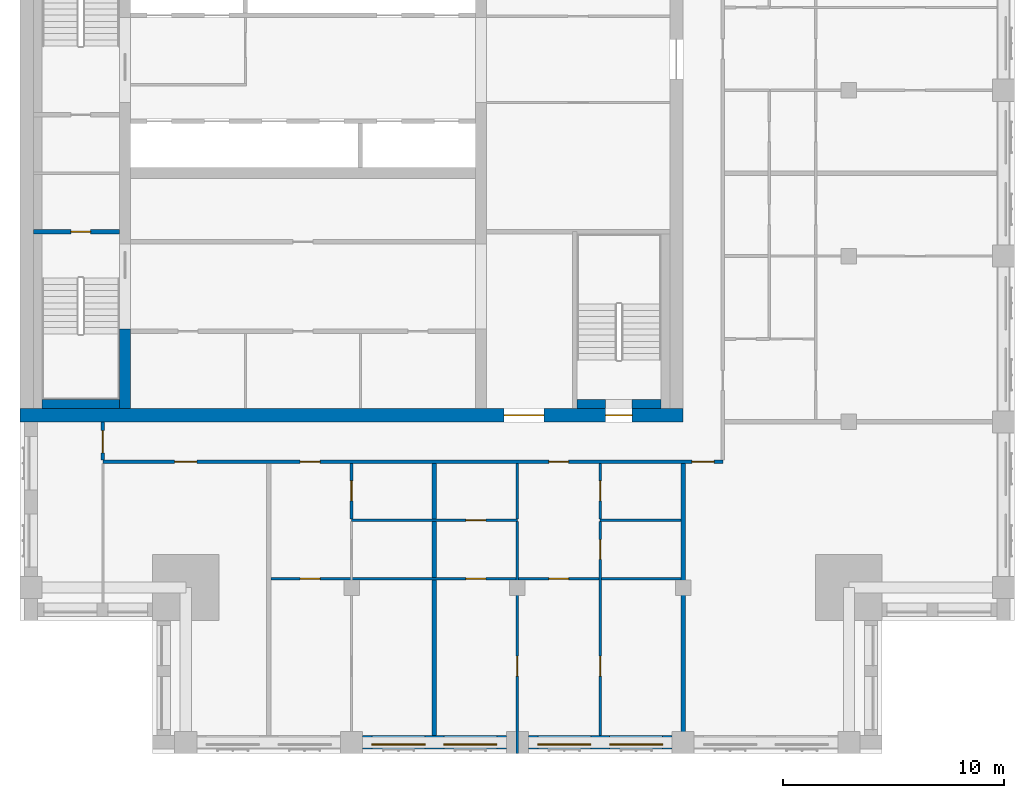
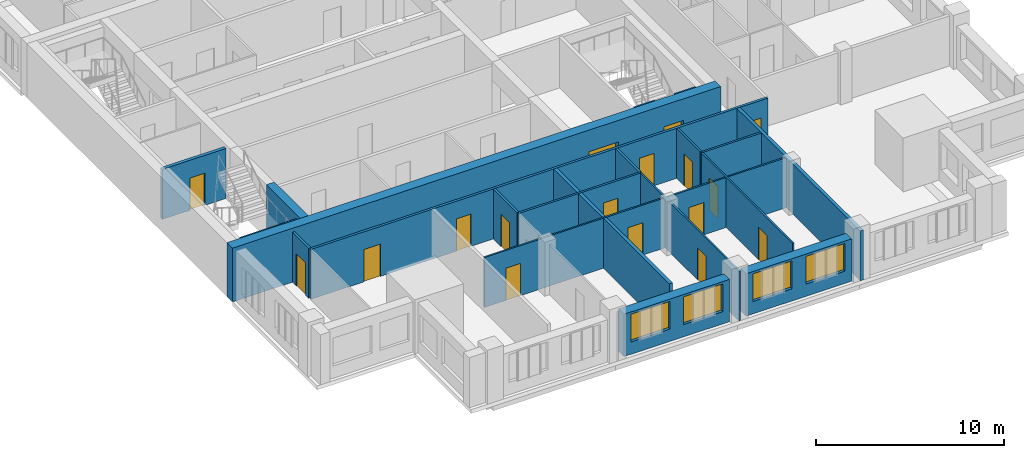
# One storey, part 3 of 10: 20 walls, 17 doors, 4 windows, 21 openings.
"""IFC4 building model written with IfcOpenShell, lengths in metres."""

from ifc_helpers import new_model, si_unit, direction, frame, frame_2d, origin, place, context, subcontext, project, spatial, rectangle, extrude, material, layer, layer_set, type_object, element, fill, save


model = new_model("IFC4")

# Units and contexts
model_context = context("Model", 3, precision=1e-05, world=origin(), true_north=direction((0.0, 1.0)))
body_context = subcontext(model_context, "Body", "Model", "MODEL_VIEW")
ifc_project = project(units=[si_unit("LENGTHUNIT", "METRE"), si_unit("AREAUNIT", "SQUARE_METRE"), si_unit("VOLUMEUNIT", "CUBIC_METRE"), si_unit("PLANEANGLEUNIT", "RADIAN"), si_unit("MASSUNIT", "GRAM", prefix="KILO")], contexts=[model_context])

# Site, building, storey
site_placement = place(None, origin())
site = spatial("IfcSite", under=ifc_project, at=site_placement, CompositionType="ELEMENT")
building_placement = place(site_placement, origin())
building = spatial("IfcBuilding", under=site, at=building_placement, Name="Tamorin Gate", CompositionType="ELEMENT")
storey_placement = place(building_placement, frame((0.0, 0.0, 269.699951171875)))
storey = spatial("IfcBuildingStorey", under=building, at=storey_placement, Name="L67", CompositionType="ELEMENT", Elevation=269.699951171875)

# Wall, openings, windows
ifc_material_1 = material(Name="Precast concrete C40/50", Category="concrete")
ifc_layer_1 = layer(ifc_material_1, 0.60009765625)
ifc_layer_set_1 = layer_set([ifc_layer_1], Name="Precast concrete C40/50")
wall_type_1 = type_object("IfcWallType", Name="Board-marked concrete facade panel 600", PredefinedType="SOLIDWALL", material=ifc_layer_set_1)
wall_1_placement = place(storey_placement, frame((45.5, 45.5, 0.0), z_axis=(0.0, 0.0, 1.0), x_axis=(1.0, 0.0, 0.0)))
wall_1 = element("IfcWall", 1, at=wall_1_placement, inside=storey, type_object=wall_type_1, Name="Facade panel", PredefinedType="SOLIDWALL", context=body_context, shape_type="SweptSolid", body=[
    extrude(rectangle(XDim=6.5, YDim=0.60009765625, at=frame_2d((3.25, 0.0))), origin(), (0.0, 0.0, 1.0), 2.75),
])
opening_1_placement = place(wall_1_placement, frame((0.425048828125, 0.0, 0.800048828125)))
opening_1 = element("IfcOpeningElement", 2, at=opening_1_placement, cuts=wall_1, Name="Opening WN1", PredefinedType="OPENING", context=body_context, shape_type="SweptSolid", body=[
    extrude(rectangle(XDim=2.39990234375, YDim=1.800048828125, at=frame_2d((1.199951171875, 0.89990234375))), frame((0.0, 0.31005859375, 0.0), z_axis=(0.0, -1.0, 0.0), x_axis=(1.0, 0.0, 0.0)), (0.0, 0.0, 1.0), 0.6201171875),
])
opening_2_placement = place(wall_1_placement, frame((3.675048828125, 0.0, 0.800048828125)))
opening_2 = element("IfcOpeningElement", 3, at=opening_2_placement, cuts=wall_1, Name="Opening WN1", PredefinedType="OPENING", context=body_context, shape_type="SweptSolid", body=[
    extrude(rectangle(XDim=2.39990234375, YDim=1.800048828125, at=frame_2d((1.199951171875, 0.89990234375))), frame((0.0, 0.31005859375, 0.0), z_axis=(0.0, -1.0, 0.0), x_axis=(1.0, 0.0, 0.0)), (0.0, 0.0, 1.0), 0.6201171875),
])
ifc_material_2 = material(Name="Clear glass in aluminium frame", Category="aluminium")
window_type = type_object("IfcWindowType", Name="Deep-set window 2400x1800", PartitioningType="SINGLE_PANEL", PredefinedType="WINDOW", material=ifc_material_2)
window_1_placement = place(opening_1_placement, origin())
window_1 = element("IfcWindow", 4, at=window_1_placement, inside=storey, type_object=window_type, Name="Deep-set window", OverallHeight=1.800048828125, OverallWidth=2.39990234375, PartitioningType="SINGLE_PANEL", PredefinedType="WINDOW", context=body_context, shape_type="SweptSolid", body=[
    extrude(rectangle(XDim=2.39990234375, YDim=1.800048828125, at=frame_2d((1.199951171875, 0.89990234375))), frame((0.0, -0.070068359375, 0.0), z_axis=(0.0, -1.0, 0.0), x_axis=(1.0, 0.0, 0.0)), (0.0, 0.0, 1.0), 0.06005859375),
])
fill(opening_1, window_1)
window_2_placement = place(opening_2_placement, origin())
window_2 = element("IfcWindow", 5, at=window_2_placement, inside=storey, type_object=window_type, Name="Deep-set window", OverallHeight=1.800048828125, OverallWidth=2.39990234375, PartitioningType="SINGLE_PANEL", PredefinedType="WINDOW", context=body_context, shape_type="SweptSolid", body=[
    extrude(rectangle(XDim=2.39990234375, YDim=1.800048828125, at=frame_2d((1.199951171875, 0.89990234375))), frame((0.0, -0.070068359375, 0.0), z_axis=(0.0, -1.0, 0.0), x_axis=(1.0, 0.0, 0.0)), (0.0, 0.0, 1.0), 0.06005859375),
])
fill(opening_2, window_2)

wall_2_placement = place(storey_placement, frame((53.0, 45.5, 0.0), z_axis=(0.0, 0.0, 1.0), x_axis=(1.0, 0.0, 0.0)))
wall_2 = element("IfcWall", 6, at=wall_2_placement, inside=storey, type_object=wall_type_1, Name="Facade panel", PredefinedType="SOLIDWALL", context=body_context, shape_type="SweptSolid", body=[
    extrude(rectangle(XDim=6.5, YDim=0.60009765625, at=frame_2d((3.25, 0.0))), origin(), (0.0, 0.0, 1.0), 2.75),
])
opening_3_placement = place(wall_2_placement, frame((0.425048828125, 0.0, 0.800048828125)))
opening_3 = element("IfcOpeningElement", 7, at=opening_3_placement, cuts=wall_2, Name="Opening WN1", PredefinedType="OPENING", context=body_context, shape_type="SweptSolid", body=[
    extrude(rectangle(XDim=2.39990234375, YDim=1.800048828125, at=frame_2d((1.199951171875, 0.89990234375))), frame((0.0, 0.31005859375, 0.0), z_axis=(0.0, -1.0, 0.0), x_axis=(1.0, 0.0, 0.0)), (0.0, 0.0, 1.0), 0.6201171875),
])
opening_4_placement = place(wall_2_placement, frame((3.675048828125, 0.0, 0.800048828125)))
opening_4 = element("IfcOpeningElement", 8, at=opening_4_placement, cuts=wall_2, Name="Opening WN1", PredefinedType="OPENING", context=body_context, shape_type="SweptSolid", body=[
    extrude(rectangle(XDim=2.39990234375, YDim=1.800048828125, at=frame_2d((1.199951171875, 0.89990234375))), frame((0.0, 0.31005859375, 0.0), z_axis=(0.0, -1.0, 0.0), x_axis=(1.0, 0.0, 0.0)), (0.0, 0.0, 1.0), 0.6201171875),
])
window_3_placement = place(opening_3_placement, origin())
window_3 = element("IfcWindow", 9, at=window_3_placement, inside=storey, type_object=window_type, Name="Deep-set window", OverallHeight=1.800048828125, OverallWidth=2.39990234375, PartitioningType="SINGLE_PANEL", PredefinedType="WINDOW", context=body_context, shape_type="SweptSolid", body=[
    extrude(rectangle(XDim=2.39990234375, YDim=1.800048828125, at=frame_2d((1.199951171875, 0.89990234375))), frame((0.0, -0.070068359375, 0.0), z_axis=(0.0, -1.0, 0.0), x_axis=(1.0, 0.0, 0.0)), (0.0, 0.0, 1.0), 0.06005859375),
])
fill(opening_3, window_3)
window_4_placement = place(opening_4_placement, origin())
window_4 = element("IfcWindow", 10, at=window_4_placement, inside=storey, type_object=window_type, Name="Deep-set window", OverallHeight=1.800048828125, OverallWidth=2.39990234375, PartitioningType="SINGLE_PANEL", PredefinedType="WINDOW", context=body_context, shape_type="SweptSolid", body=[
    extrude(rectangle(XDim=2.39990234375, YDim=1.800048828125, at=frame_2d((1.199951171875, 0.89990234375))), frame((0.0, -0.070068359375, 0.0), z_axis=(0.0, -1.0, 0.0), x_axis=(1.0, 0.0, 0.0)), (0.0, 0.0, 1.0), 0.06005859375),
])
fill(opening_4, window_4)

# Wall, openings, doors
ifc_material_3 = material(Name="Gypsum board partition")
ifc_layer_2 = layer(ifc_material_3, 0.14990234375)
ifc_layer_set_2 = layer_set([ifc_layer_2], Name="Corridor wall 150")
wall_type_2 = type_object("IfcWallType", Name="Corridor wall 150", PredefinedType="PARTITIONING", material=ifc_layer_set_2)
wall_3_placement = place(storey_placement, frame((33.75, 58.199951171875, 0.0), z_axis=(0.0, 0.0, 1.0), x_axis=(1.0, 0.0, 0.0)))
wall_3 = element("IfcWall", 11, at=wall_3_placement, inside=storey, type_object=wall_type_2, Name="Corridor wall 150", PredefinedType="PARTITIONING", context=body_context, shape_type="SweptSolid", body=[
    extrude(rectangle(XDim=28.050048828125, YDim=0.14990234375, at=frame_2d((14.02490234375, 0.0))), origin(), (0.0, 0.0, 1.0), 3.25),
])
opening_5_placement = place(wall_3_placement, frame((3.25, 0.0, 0.0)))
opening_5 = element("IfcOpeningElement", 12, at=opening_5_placement, cuts=wall_3, Name="Opening DR9002", PredefinedType="OPENING", context=body_context, shape_type="SweptSolid", body=[
    extrude(rectangle(XDim=1.0, YDim=2.10009765625, at=frame_2d((0.5, 1.050048828125))), frame((0.0, 0.0849609375, 0.0), z_axis=(0.0, -1.0, 0.0), x_axis=(1.0, 0.0, 0.0)), (0.0, 0.0, 1.0), 0.169921875),
])
opening_6_placement = place(wall_3_placement, frame((8.925048828125, 0.0, 0.0)))
opening_6 = element("IfcOpeningElement", 13, at=opening_6_placement, cuts=wall_3, Name="Opening DR9003", PredefinedType="OPENING", context=body_context, shape_type="SweptSolid", body=[
    extrude(rectangle(XDim=0.89990234375, YDim=2.10009765625, at=frame_2d((0.449951171875, 1.050048828125))), frame((0.0, 0.0849609375, 0.0), z_axis=(0.0, -1.0, 0.0), x_axis=(1.0, 0.0, 0.0)), (0.0, 0.0, 1.0), 0.169921875),
])
opening_7_placement = place(wall_3_placement, frame((20.175048828125, 0.0, 0.0)))
opening_7 = element("IfcOpeningElement", 14, at=opening_7_placement, cuts=wall_3, Name="Opening DR9010", PredefinedType="OPENING", context=body_context, shape_type="SweptSolid", body=[
    extrude(rectangle(XDim=0.89990234375, YDim=2.10009765625, at=frame_2d((0.449951171875, 1.050048828125))), frame((0.0, 0.0849609375, 0.0), z_axis=(0.0, -1.0, 0.0), x_axis=(1.0, 0.0, 0.0)), (0.0, 0.0, 1.0), 0.169921875),
])
opening_8_placement = place(wall_3_placement, frame((26.64990234375, 0.0, 0.0)))
opening_8 = element("IfcOpeningElement", 15, at=opening_8_placement, cuts=wall_3, Name="Opening DR9016", PredefinedType="OPENING", context=body_context, shape_type="SweptSolid", body=[
    extrude(rectangle(XDim=1.0, YDim=2.10009765625, at=frame_2d((0.5, 1.050048828125))), frame((0.0, 0.0849609375, 0.0), z_axis=(0.0, -1.0, 0.0), x_axis=(1.0, 0.0, 0.0)), (0.0, 0.0, 1.0), 0.169921875),
])
ifc_material_4 = material(Name="Timber door leaf", Category="wood")
door_type_1 = type_object("IfcDoorType", Name="Door 1000 x 2100 FD30S", OperationType="NOTDEFINED", PredefinedType="DOOR", material=ifc_material_4)
door_1_placement = place(opening_5_placement, origin())
door_1 = element("IfcDoor", 16, at=door_1_placement, inside=storey, type_object=door_type_1, Name="Door DR9002", OperationType="SINGLE_SWING_RIGHT", OverallHeight=2.10009765625, OverallWidth=1.0, PredefinedType="DOOR", context=body_context, shape_type="SweptSolid", body=[
    extrude(rectangle(XDim=1.0, YDim=2.10009765625, at=frame_2d((0.5, 1.050048828125))), frame((0.0, 0.02490234375, 0.0), z_axis=(0.0, -1.0, 0.0), x_axis=(1.0, 0.0, 0.0)), (0.0, 0.0, 1.0), 0.050048828125),
])
fill(opening_5, door_1)
door_2_placement = place(opening_8_placement, origin())
door_2 = element("IfcDoor", 17, at=door_2_placement, inside=storey, type_object=door_type_1, Name="Door DR9016", OperationType="SINGLE_SWING_RIGHT", OverallHeight=2.10009765625, OverallWidth=1.0, PredefinedType="DOOR", context=body_context, shape_type="SweptSolid", body=[
    extrude(rectangle(XDim=1.0, YDim=2.10009765625, at=frame_2d((0.5, 1.050048828125))), frame((0.0, 0.02490234375, 0.0), z_axis=(0.0, -1.0, 0.0), x_axis=(1.0, 0.0, 0.0)), (0.0, 0.0, 1.0), 0.050048828125),
])
fill(opening_8, door_2)
door_type_2 = type_object("IfcDoorType", Name="Door 900 x 2100 FD30S", OperationType="NOTDEFINED", PredefinedType="DOOR", material=ifc_material_4)
door_3_placement = place(opening_6_placement, origin())
door_3 = element("IfcDoor", 18, at=door_3_placement, inside=storey, type_object=door_type_2, Name="Door DR9003", OperationType="SINGLE_SWING_RIGHT", OverallHeight=2.10009765625, OverallWidth=0.89990234375, PredefinedType="DOOR", context=body_context, shape_type="SweptSolid", body=[
    extrude(rectangle(XDim=0.89990234375, YDim=2.10009765625, at=frame_2d((0.449951171875, 1.050048828125))), frame((0.0, 0.02490234375, 0.0), z_axis=(0.0, -1.0, 0.0), x_axis=(1.0, 0.0, 0.0)), (0.0, 0.0, 1.0), 0.050048828125),
])
fill(opening_6, door_3)
door_4_placement = place(opening_7_placement, origin())
door_4 = element("IfcDoor", 19, at=door_4_placement, inside=storey, type_object=door_type_2, Name="Door DR9010", OperationType="SINGLE_SWING_RIGHT", OverallHeight=2.10009765625, OverallWidth=0.89990234375, PredefinedType="DOOR", context=body_context, shape_type="SweptSolid", body=[
    extrude(rectangle(XDim=0.89990234375, YDim=2.10009765625, at=frame_2d((0.449951171875, 1.050048828125))), frame((0.0, 0.02490234375, 0.0), z_axis=(0.0, -1.0, 0.0), x_axis=(1.0, 0.0, 0.0)), (0.0, 0.0, 1.0), 0.050048828125),
])
fill(opening_7, door_4)

# Wall, opening, door
wall_4_placement = place(storey_placement, frame((33.75, 58.27490234375, 0.0), z_axis=(0.0, 0.0, 1.0), x_axis=(0.0, 1.0, 0.0)))
wall_4 = element("IfcWall", 20, at=wall_4_placement, inside=storey, type_object=wall_type_2, Name="Corridor wall 150", PredefinedType="PARTITIONING", context=body_context, shape_type="SweptSolid", body=[
    extrude(rectangle(XDim=1.72509765625, YDim=0.14990234375, at=frame_2d((0.862548828125, 0.0))), origin(), (0.0, 0.0, 1.0), 3.25),
])
opening_9_placement = place(wall_4_placement, frame((0.324951171875, 0.0, 0.0)))
opening_9 = element("IfcOpeningElement", 21, at=opening_9_placement, cuts=wall_4, Name="Opening DR9001", PredefinedType="OPENING", context=body_context, shape_type="SweptSolid", body=[
    extrude(rectangle(XDim=1.0, YDim=2.10009765625, at=frame_2d((0.5, 1.050048828125))), frame((0.0, 0.0849609375, 0.0), z_axis=(0.0, -1.0, 0.0), x_axis=(1.0, 0.0, 0.0)), (0.0, 0.0, 1.0), 0.169921875),
])
door_5_placement = place(opening_9_placement, origin())
door_5 = element("IfcDoor", 22, at=door_5_placement, inside=storey, type_object=door_type_1, Name="Door DR9001", OperationType="SINGLE_SWING_RIGHT", OverallHeight=2.10009765625, OverallWidth=1.0, PredefinedType="DOOR", context=body_context, shape_type="SweptSolid", body=[
    extrude(rectangle(XDim=1.0, YDim=2.10009765625, at=frame_2d((0.5, 1.050048828125))), frame((0.0, 0.02490234375, 0.0), z_axis=(0.0, -1.0, 0.0), x_axis=(1.0, 0.0, 0.0)), (0.0, 0.0, 1.0), 0.050048828125),
])
fill(opening_9, door_5)

# Walls
ifc_layer_3 = layer(ifc_material_3, 0.199951171875)
ifc_layer_set_3 = layer_set([ifc_layer_3], Name="Demising wall 200")
wall_type_3 = type_object("IfcWallType", Name="Demising wall 200", PredefinedType="PARTITIONING", material=ifc_layer_set_3)
wall_5_placement = place(storey_placement, frame((48.75, 45.81005859375, 0.0), z_axis=(0.0, 0.0, 1.0), x_axis=(0.0, 1.0, 0.0)))
element("IfcWall", 23, at=wall_5_placement, inside=storey, type_object=wall_type_3, Name="Demising wall 200", PredefinedType="PARTITIONING", context=body_context, shape_type="SweptSolid", body=[
    extrude(rectangle(XDim=12.31494140625, YDim=0.199951171875, at=frame_2d((6.157470703125, 0.0))), origin(), (0.0, 0.0, 1.0), 3.25),
])
wall_6_placement = place(storey_placement, frame((60.0, 45.0, 0.0), z_axis=(0.0, 0.0, 1.0), x_axis=(0.0, 1.0, 0.0)))
element("IfcWall", 24, at=wall_6_placement, inside=storey, type_object=wall_type_3, Name="Demising wall 200", PredefinedType="PARTITIONING", context=body_context, shape_type="SweptSolid", body=[
    extrude(rectangle(XDim=13.125, YDim=0.199951171875, at=frame_2d((6.5625, 0.0))), origin(), (0.0, 0.0, 1.0), 3.25),
])
ifc_material_5 = material(Name="Concrete C50/60", Category="concrete")
ifc_layer_4 = layer(ifc_material_5, 0.5)
ifc_layer_set_4 = layer_set([ifc_layer_4], Name="RC core internal wall 500 C50/60")
wall_type_4 = type_object("IfcWallType", Name="RC core internal wall 500 C50/60", PredefinedType="SHEAR", material=ifc_layer_set_4)
wall_7_placement = place(storey_placement, frame((34.75, 60.60009765625, 0.0), z_axis=(0.0, 0.0, 1.0), x_axis=(0.0, 1.0, 0.0)))
element("IfcWall", 25, at=wall_7_placement, inside=storey, type_object=wall_type_4, Name="Core cross wall L67", PredefinedType="SHEAR", context=body_context, shape_type="SweptSolid", body=[
    extrude(rectangle(XDim=3.599853515625, YDim=0.5, at=frame_2d((1.7998046875, 0.0))), origin(), (0.0, 0.0, 1.0), 3.5),
])

# Wall, openings, doors
ifc_layer_5 = layer(ifc_material_5, 0.60009765625)
ifc_layer_set_5 = layer_set([ifc_layer_5], Name="RC core wall 600 C50/60")
wall_type_5 = type_object("IfcWallType", Name="RC core wall 600 C50/60", PredefinedType="SHEAR", material=ifc_layer_set_5)
wall_8_placement = place(storey_placement, frame((30.0, 60.300048828125, 0.0), z_axis=(0.0, 0.0, 1.0), x_axis=(1.0, 0.0, 0.0)))
wall_8 = element("IfcWall", 26, at=wall_8_placement, inside=storey, type_object=wall_type_5, Name="Core wall L67", PredefinedType="SHEAR", context=body_context, shape_type="SweptSolid", body=[
    extrude(rectangle(XDim=30.0, YDim=0.60009765625, at=frame_2d((15.0, 0.0))), origin(), (0.0, 0.0, 1.0), 3.5),
])
opening_10_placement = place(wall_8_placement, frame((21.89990234375, 0.0, 0.0)))
opening_10 = element("IfcOpeningElement", 27, at=opening_10_placement, cuts=wall_8, Name="Opening DE1", PredefinedType="OPENING", context=body_context, shape_type="SweptSolid", body=[
    extrude(rectangle(XDim=1.800048828125, YDim=2.10009765625, at=frame_2d((0.89990234375, 1.050048828125))), frame((0.0, 0.31005859375, 0.0), z_axis=(0.0, -1.0, 0.0), x_axis=(1.0, 0.0, 0.0)), (0.0, 0.0, 1.0), 0.6201171875),
])
opening_11_placement = place(wall_8_placement, frame((26.5, 0.0, 0.0)))
opening_11 = element("IfcOpeningElement", 28, at=opening_11_placement, cuts=wall_8, Name="Opening DS1", PredefinedType="OPENING", context=body_context, shape_type="SweptSolid", body=[
    extrude(rectangle(XDim=1.199951171875, YDim=2.10009765625, at=frame_2d((0.60009765625, 1.050048828125))), frame((0.0, 0.31005859375, 0.0), z_axis=(0.0, -1.0, 0.0), x_axis=(1.0, 0.0, 0.0)), (0.0, 0.0, 1.0), 0.6201171875),
])
ifc_material_6 = material(Name="Steel fire door", Category="steel")
door_type_3 = type_object("IfcDoorType", Name="Lobby exit double door 1800 x 2100 EI 60", OperationType="DOUBLE_DOOR_SINGLE_SWING", PredefinedType="DOOR", material=ifc_material_6)
door_6_placement = place(opening_10_placement, origin())
door_6 = element("IfcDoor", 29, at=door_6_placement, inside=storey, type_object=door_type_3, Name="Lift lobby A exit door", OperationType="DOUBLE_DOOR_SINGLE_SWING", OverallHeight=2.10009765625, OverallWidth=1.800048828125, PredefinedType="DOOR", context=body_context, shape_type="SweptSolid", body=[
    extrude(rectangle(XDim=1.800048828125, YDim=2.10009765625, at=frame_2d((0.89990234375, 1.050048828125))), frame((0.0, 0.02490234375, 0.0), z_axis=(0.0, -1.0, 0.0), x_axis=(1.0, 0.0, 0.0)), (0.0, 0.0, 1.0), 0.050048828125),
])
fill(opening_10, door_6)
door_type_4 = type_object("IfcDoorType", Name="Stair door 1200 x 2100 EI 90", OperationType="SINGLE_SWING_LEFT", PredefinedType="DOOR", material=ifc_material_6)
door_7_placement = place(opening_11_placement, origin())
door_7 = element("IfcDoor", 30, at=door_7_placement, inside=storey, type_object=door_type_4, Name="ST3 door", OperationType="SINGLE_SWING_LEFT", OverallHeight=2.10009765625, OverallWidth=1.199951171875, PredefinedType="DOOR", context=body_context, shape_type="SweptSolid", body=[
    extrude(rectangle(XDim=1.199951171875, YDim=2.10009765625, at=frame_2d((0.60009765625, 1.050048828125))), frame((0.0, 0.02490234375, 0.0), z_axis=(0.0, -1.0, 0.0), x_axis=(1.0, 0.0, 0.0)), (0.0, 0.0, 1.0), 0.050048828125),
])
fill(opening_11, door_7)

ifc_layer_6 = layer(ifc_material_3, 0.10009765625)
ifc_layer_set_6 = layer_set([ifc_layer_6], Name="Room partition 100")
wall_type_6 = type_object("IfcWallType", Name="Room partition 100", PredefinedType="PARTITIONING", material=ifc_layer_set_6)
wall_9_placement = place(storey_placement, frame((41.35009765625, 52.89990234375, 0.0), z_axis=(0.0, 0.0, 1.0), x_axis=(1.0, 0.0, 0.0)))
wall_9 = element("IfcWall", 31, at=wall_9_placement, inside=storey, type_object=wall_type_6, Name="Room partition 100", PredefinedType="PARTITIONING", context=body_context, shape_type="SweptSolid", body=[
    extrude(rectangle(XDim=18.5498046875, YDim=0.10009765625, at=frame_2d((9.27490234375, 0.0))), origin(), (0.0, 0.0, 1.0), 3.25),
])
opening_12_placement = place(wall_9_placement, frame((1.324951171875, 0.0, 0.0)))
opening_12 = element("IfcOpeningElement", 32, at=opening_12_placement, cuts=wall_9, Name="Opening DR9004", PredefinedType="OPENING", context=body_context, shape_type="SweptSolid", body=[
    extrude(rectangle(XDim=0.89990234375, YDim=2.10009765625, at=frame_2d((0.449951171875, 1.050048828125))), frame((0.0, 0.06005859375, 0.0), z_axis=(0.0, -1.0, 0.0), x_axis=(1.0, 0.0, 0.0)), (0.0, 0.0, 1.0), 0.1201171875),
])
opening_13_placement = place(wall_9_placement, frame((8.824951171875, 0.0, 0.0)))
opening_13 = element("IfcOpeningElement", 33, at=opening_13_placement, cuts=wall_9, Name="Opening DR9008", PredefinedType="OPENING", context=body_context, shape_type="SweptSolid", body=[
    extrude(rectangle(XDim=0.89990234375, YDim=2.10009765625, at=frame_2d((0.449951171875, 1.050048828125))), frame((0.0, 0.06005859375, 0.0), z_axis=(0.0, -1.0, 0.0), x_axis=(1.0, 0.0, 0.0)), (0.0, 0.0, 1.0), 0.1201171875),
])
opening_14_placement = place(wall_9_placement, frame((12.574951171875, 0.0, 0.0)))
opening_14 = element("IfcOpeningElement", 34, at=opening_14_placement, cuts=wall_9, Name="Opening DR9011", PredefinedType="OPENING", context=body_context, shape_type="SweptSolid", body=[
    extrude(rectangle(XDim=0.89990234375, YDim=2.10009765625, at=frame_2d((0.449951171875, 1.050048828125))), frame((0.0, 0.06005859375, 0.0), z_axis=(0.0, -1.0, 0.0), x_axis=(1.0, 0.0, 0.0)), (0.0, 0.0, 1.0), 0.1201171875),
])
door_type_5 = type_object("IfcDoorType", Name="Door 900 x 2100", OperationType="NOTDEFINED", PredefinedType="DOOR", material=ifc_material_4)
door_8_placement = place(opening_12_placement, origin())
door_8 = element("IfcDoor", 35, at=door_8_placement, inside=storey, type_object=door_type_5, Name="Door DR9004", OperationType="SINGLE_SWING_LEFT", OverallHeight=2.10009765625, OverallWidth=0.89990234375, PredefinedType="DOOR", context=body_context, shape_type="SweptSolid", body=[
    extrude(rectangle(XDim=0.89990234375, YDim=2.10009765625, at=frame_2d((0.449951171875, 1.050048828125))), frame((0.0, 0.02490234375, 0.0), z_axis=(0.0, -1.0, 0.0), x_axis=(1.0, 0.0, 0.0)), (0.0, 0.0, 1.0), 0.050048828125),
])
fill(opening_12, door_8)
door_9_placement = place(opening_13_placement, origin())
door_9 = element("IfcDoor", 36, at=door_9_placement, inside=storey, type_object=door_type_5, Name="Door DR9008", OperationType="SINGLE_SWING_LEFT", OverallHeight=2.10009765625, OverallWidth=0.89990234375, PredefinedType="DOOR", context=body_context, shape_type="SweptSolid", body=[
    extrude(rectangle(XDim=0.89990234375, YDim=2.10009765625, at=frame_2d((0.449951171875, 1.050048828125))), frame((0.0, 0.02490234375, 0.0), z_axis=(0.0, -1.0, 0.0), x_axis=(1.0, 0.0, 0.0)), (0.0, 0.0, 1.0), 0.050048828125),
])
fill(opening_13, door_9)
door_10_placement = place(opening_14_placement, origin())
door_10 = element("IfcDoor", 37, at=door_10_placement, inside=storey, type_object=door_type_5, Name="Door DR9011", OperationType="SINGLE_SWING_LEFT", OverallHeight=2.10009765625, OverallWidth=0.89990234375, PredefinedType="DOOR", context=body_context, shape_type="SweptSolid", body=[
    extrude(rectangle(XDim=0.89990234375, YDim=2.10009765625, at=frame_2d((0.449951171875, 1.050048828125))), frame((0.0, 0.02490234375, 0.0), z_axis=(0.0, -1.0, 0.0), x_axis=(1.0, 0.0, 0.0)), (0.0, 0.0, 1.0), 0.050048828125),
])
fill(opening_14, door_10)

# Wall, opening, door
wall_10_placement = place(storey_placement, frame((52.5, 45.0, 0.0), z_axis=(0.0, 0.0, 1.0), x_axis=(0.0, 1.0, 0.0)))
wall_10 = element("IfcWall", 38, at=wall_10_placement, inside=storey, type_object=wall_type_6, Name="Room partition 100", PredefinedType="PARTITIONING", context=body_context, shape_type="SweptSolid", body=[
    extrude(rectangle(XDim=10.487548828125, YDim=0.10009765625, at=frame_2d((5.24365234375, 0.0))), origin(), (0.0, 0.0, 1.0), 3.25),
])
opening_15_placement = place(wall_10_placement, frame((3.5, 0.0, 0.0)))
opening_15 = element("IfcOpeningElement", 39, at=opening_15_placement, cuts=wall_10, Name="Opening DR9014", PredefinedType="OPENING", context=body_context, shape_type="SweptSolid", body=[
    extrude(rectangle(XDim=0.89990234375, YDim=2.10009765625, at=frame_2d((0.449951171875, 1.050048828125))), frame((0.0, 0.06005859375, 0.0), z_axis=(0.0, -1.0, 0.0), x_axis=(1.0, 0.0, 0.0)), (0.0, 0.0, 1.0), 0.1201171875),
])
door_11_placement = place(opening_15_placement, origin())
door_11 = element("IfcDoor", 40, at=door_11_placement, inside=storey, type_object=door_type_5, Name="Door DR9014", OperationType="SINGLE_SWING_LEFT", OverallHeight=2.10009765625, OverallWidth=0.89990234375, PredefinedType="DOOR", context=body_context, shape_type="SweptSolid", body=[
    extrude(rectangle(XDim=0.89990234375, YDim=2.10009765625, at=frame_2d((0.449951171875, 1.050048828125))), frame((0.0, 0.02490234375, 0.0), z_axis=(0.0, -1.0, 0.0), x_axis=(1.0, 0.0, 0.0)), (0.0, 0.0, 1.0), 0.050048828125),
])
fill(opening_15, door_11)

# Wall, openings, doors
wall_11_placement = place(storey_placement, frame((56.25, 45.81005859375, 0.0), z_axis=(0.0, 0.0, 1.0), x_axis=(0.0, 1.0, 0.0)))
wall_11 = element("IfcWall", 41, at=wall_11_placement, inside=storey, type_object=wall_type_6, Name="Room partition 100", PredefinedType="PARTITIONING", context=body_context, shape_type="SweptSolid", body=[
    extrude(rectangle(XDim=9.677490234375, YDim=0.10009765625, at=frame_2d((4.8388671875, 0.0))), origin(), (0.0, 0.0, 1.0), 3.25),
])
opening_16_placement = place(wall_11_placement, frame((7.965087890625, 0.0, 0.0)))
opening_16 = element("IfcOpeningElement", 42, at=opening_16_placement, cuts=wall_11, Name="Opening DR9012", PredefinedType="OPENING", context=body_context, shape_type="SweptSolid", body=[
    extrude(rectangle(XDim=0.89990234375, YDim=2.10009765625, at=frame_2d((0.449951171875, 1.050048828125))), frame((0.0, 0.06005859375, 0.0), z_axis=(0.0, -1.0, 0.0), x_axis=(1.0, 0.0, 0.0)), (0.0, 0.0, 1.0), 0.1201171875),
])
opening_17_placement = place(wall_11_placement, frame((2.68994140625, 0.0, 0.0)))
opening_17 = element("IfcOpeningElement", 43, at=opening_17_placement, cuts=wall_11, Name="Opening DR9015", PredefinedType="OPENING", context=body_context, shape_type="SweptSolid", body=[
    extrude(rectangle(XDim=0.89990234375, YDim=2.10009765625, at=frame_2d((0.449951171875, 1.050048828125))), frame((0.0, 0.06005859375, 0.0), z_axis=(0.0, -1.0, 0.0), x_axis=(1.0, 0.0, 0.0)), (0.0, 0.0, 1.0), 0.1201171875),
])
door_12_placement = place(opening_16_placement, origin())
door_12 = element("IfcDoor", 44, at=door_12_placement, inside=storey, type_object=door_type_5, Name="Door DR9012", OperationType="SINGLE_SWING_LEFT", OverallHeight=2.10009765625, OverallWidth=0.89990234375, PredefinedType="DOOR", context=body_context, shape_type="SweptSolid", body=[
    extrude(rectangle(XDim=0.89990234375, YDim=2.10009765625, at=frame_2d((0.449951171875, 1.050048828125))), frame((0.0, 0.02490234375, 0.0), z_axis=(0.0, -1.0, 0.0), x_axis=(1.0, 0.0, 0.0)), (0.0, 0.0, 1.0), 0.050048828125),
])
fill(opening_16, door_12)
door_13_placement = place(opening_17_placement, origin())
door_13 = element("IfcDoor", 45, at=door_13_placement, inside=storey, type_object=door_type_5, Name="Door DR9015", OperationType="SINGLE_SWING_LEFT", OverallHeight=2.10009765625, OverallWidth=0.89990234375, PredefinedType="DOOR", context=body_context, shape_type="SweptSolid", body=[
    extrude(rectangle(XDim=0.89990234375, YDim=2.10009765625, at=frame_2d((0.449951171875, 1.050048828125))), frame((0.0, 0.02490234375, 0.0), z_axis=(0.0, -1.0, 0.0), x_axis=(1.0, 0.0, 0.0)), (0.0, 0.0, 1.0), 0.050048828125),
])
fill(opening_17, door_13)

# Wall, opening, door
ifc_material_7 = material(Name="Concrete C40/50", Category="concrete")
ifc_layer_7 = layer(ifc_material_7, 0.199951171875)
ifc_layer_set_7 = layer_set([ifc_layer_7], Name="Stair enclosure wall 200 EI 120 C40/50")
wall_type_7 = type_object("IfcWallType", Name="Stair enclosure wall 200 EI 120 C40/50", PredefinedType="SOLIDWALL", material=ifc_layer_set_7)
wall_12_placement = place(storey_placement, frame((30.60009765625, 68.60009765625, 0.0), z_axis=(0.0, 0.0, 1.0), x_axis=(1.0, 0.0, 0.0)))
wall_12 = element("IfcWall", 46, at=wall_12_placement, inside=storey, type_object=wall_type_7, Name="Stair enclosure wall", PredefinedType="SOLIDWALL", context=body_context, shape_type="SweptSolid", body=[
    extrude(rectangle(XDim=3.89990234375, YDim=0.199951171875, at=frame_2d((1.949951171875, 0.0))), origin(), (0.0, 0.0, 1.0), 3.25),
])
opening_18_placement = place(wall_12_placement, frame((1.699951171875, 0.0, 0.0)))
opening_18 = element("IfcOpeningElement", 47, at=opening_18_placement, cuts=wall_12, Name="Opening DR1", PredefinedType="OPENING", context=body_context, shape_type="SweptSolid", body=[
    extrude(rectangle(XDim=0.89990234375, YDim=2.10009765625, at=frame_2d((0.449951171875, 1.050048828125))), frame((0.0, 0.10986328125, 0.0), z_axis=(0.0, -1.0, 0.0), x_axis=(1.0, 0.0, 0.0)), (0.0, 0.0, 1.0), 0.219970703125),
])
door_type_6 = type_object("IfcDoorType", Name="Riser access door 900 x 2100 EI 120", OperationType="SINGLE_SWING_LEFT", PredefinedType="DOOR", material=ifc_material_6)
door_14_placement = place(opening_18_placement, origin())
door_14 = element("IfcDoor", 48, at=door_14_placement, inside=storey, type_object=door_type_6, Name="Electrical riser door", OperationType="SINGLE_SWING_LEFT", OverallHeight=2.10009765625, OverallWidth=0.89990234375, PredefinedType="DOOR", context=body_context, shape_type="SweptSolid", body=[
    extrude(rectangle(XDim=0.89990234375, YDim=2.10009765625, at=frame_2d((0.449951171875, 1.050048828125))), frame((0.0, 0.02490234375, 0.0), z_axis=(0.0, -1.0, 0.0), x_axis=(1.0, 0.0, 0.0)), (0.0, 0.0, 1.0), 0.050048828125),
])
fill(opening_18, door_14)

# Walls
ifc_layer_8 = layer(ifc_material_5, 0.39990234375)
ifc_layer_set_8 = layer_set([ifc_layer_8], Name="Stair lining wall 400 EI 120 C50/60")
wall_type_8 = type_object("IfcWallType", Name="Stair lining wall 400 EI 120 C50/60", PredefinedType="SOLIDWALL", material=ifc_layer_set_8)
wall_13_placement = place(storey_placement, frame((31.0, 60.800048828125, 0.0), z_axis=(0.0, 0.0, 1.0), x_axis=(1.0, 0.0, 0.0)))
element("IfcWall", 49, at=wall_13_placement, inside=storey, type_object=wall_type_8, Name="Stair lining wall", PredefinedType="SOLIDWALL", context=body_context, shape_type="SweptSolid", body=[
    extrude(rectangle(XDim=3.5, YDim=0.39990234375, at=frame_2d((1.75, 0.0))), origin(), (0.0, 0.0, 1.0), 3.25),
])
for number, where, z_axis, x_axis, name in (
    (50, (55.199951171875, 60.800048828125, 0.0), (0.0, 0.0, 1.0), (1.0, 0.0, 0.0), "Stair lining wall"),
    (51, (57.699951171875, 60.800048828125, 0.0), (0.0, 0.0, 1.0), (1.0, 0.0, 0.0), "Stair lining wall"),
):
    element("IfcWall", number, at=place(storey_placement, frame(where, z_axis=z_axis, x_axis=x_axis)), inside=storey, type_object=wall_type_8, Name=name, PredefinedType="SOLIDWALL", context=body_context, shape_type="SweptSolid", body=[
        extrude(rectangle(XDim=1.300048828125, YDim=0.39990234375, at=frame_2d((0.64990234375, 0.0))), origin(), (0.0, 0.0, 1.0), 3.25),
    ])

# Wall, opening, door
ifc_layer_9 = layer(ifc_material_3, 0.125)
ifc_layer_set_9 = layer_set([ifc_layer_9], Name="Wet wall 125")
wall_type_9 = type_object("IfcWallType", Name="Wet wall 125", PredefinedType="PARTITIONING", material=ifc_layer_set_9)
wall_14_placement = place(storey_placement, frame((45.0, 55.550048828125, 0.0), z_axis=(0.0, 0.0, 1.0), x_axis=(1.0, 0.0, 0.0)))
wall_14 = element("IfcWall", 52, at=wall_14_placement, inside=storey, type_object=wall_type_9, Name="Wet wall 125", PredefinedType="PARTITIONING", context=body_context, shape_type="SweptSolid", body=[
    extrude(rectangle(XDim=7.5, YDim=0.125, at=frame_2d((3.75, 0.0))), origin(), (0.0, 0.0, 1.0), 3.25),
])
opening_19_placement = place(wall_14_placement, frame((5.175048828125, 0.0, 0.0)))
opening_19 = element("IfcOpeningElement", 53, at=opening_19_placement, cuts=wall_14, Name="Opening DR9009", PredefinedType="OPENING", context=body_context, shape_type="SweptSolid", body=[
    extrude(rectangle(XDim=0.89990234375, YDim=2.10009765625, at=frame_2d((0.449951171875, 1.050048828125))), frame((0.0, 0.072509765625, 0.0), z_axis=(0.0, -1.0, 0.0), x_axis=(1.0, 0.0, 0.0)), (0.0, 0.0, 1.0), 0.14501953125),
])
door_15_placement = place(opening_19_placement, origin())
door_15 = element("IfcDoor", 54, at=door_15_placement, inside=storey, type_object=door_type_5, Name="Door DR9009", OperationType="SINGLE_SWING_LEFT", OverallHeight=2.10009765625, OverallWidth=0.89990234375, PredefinedType="DOOR", context=body_context, shape_type="SweptSolid", body=[
    extrude(rectangle(XDim=0.89990234375, YDim=2.10009765625, at=frame_2d((0.449951171875, 1.050048828125))), frame((0.0, 0.02490234375, 0.0), z_axis=(0.0, -1.0, 0.0), x_axis=(1.0, 0.0, 0.0)), (0.0, 0.0, 1.0), 0.050048828125),
])
fill(opening_19, door_15)

# Wall
wall_15_placement = place(storey_placement, frame((56.25, 55.550048828125, 0.0), z_axis=(0.0, 0.0, 1.0), x_axis=(1.0, 0.0, 0.0)))
element("IfcWall", 55, at=wall_15_placement, inside=storey, type_object=wall_type_9, Name="Wet wall 125", PredefinedType="PARTITIONING", context=body_context, shape_type="SweptSolid", body=[
    extrude(rectangle(XDim=3.64990234375, YDim=0.125, at=frame_2d((1.824951171875, 0.0))), origin(), (0.0, 0.0, 1.0), 3.25),
])

# Wall, opening, door
wall_16_placement = place(storey_placement, frame((45.0, 55.612548828125, 0.0), z_axis=(0.0, 0.0, 1.0), x_axis=(0.0, 1.0, 0.0)))
wall_16 = element("IfcWall", 56, at=wall_16_placement, inside=storey, type_object=wall_type_9, Name="Wet wall 125", PredefinedType="PARTITIONING", context=body_context, shape_type="SweptSolid", body=[
    extrude(rectangle(XDim=2.512451171875, YDim=0.125, at=frame_2d((1.25634765625, 0.0))), origin(), (0.0, 0.0, 1.0), 3.25),
])
opening_20_placement = place(wall_16_placement, frame((0.8125, 0.0, 0.0)))
opening_20 = element("IfcOpeningElement", 57, at=opening_20_placement, cuts=wall_16, Name="Opening DR9006", PredefinedType="OPENING", context=body_context, shape_type="SweptSolid", body=[
    extrude(rectangle(XDim=0.89990234375, YDim=2.10009765625, at=frame_2d((0.449951171875, 1.050048828125))), frame((0.0, 0.072509765625, 0.0), z_axis=(0.0, -1.0, 0.0), x_axis=(1.0, 0.0, 0.0)), (0.0, 0.0, 1.0), 0.14501953125),
])
door_16_placement = place(opening_20_placement, origin())
door_16 = element("IfcDoor", 58, at=door_16_placement, inside=storey, type_object=door_type_5, Name="Door DR9006", OperationType="SINGLE_SWING_RIGHT", OverallHeight=2.10009765625, OverallWidth=0.89990234375, PredefinedType="DOOR", context=body_context, shape_type="SweptSolid", body=[
    extrude(rectangle(XDim=0.89990234375, YDim=2.10009765625, at=frame_2d((0.449951171875, 1.050048828125))), frame((0.0, 0.02490234375, 0.0), z_axis=(0.0, -1.0, 0.0), x_axis=(1.0, 0.0, 0.0)), (0.0, 0.0, 1.0), 0.050048828125),
])
fill(opening_20, door_16)

# Wall
wall_17_placement = place(storey_placement, frame((52.5, 55.612548828125, 0.0), z_axis=(0.0, 0.0, 1.0), x_axis=(0.0, 1.0, 0.0)))
element("IfcWall", 59, at=wall_17_placement, inside=storey, type_object=wall_type_9, Name="Wet wall 125", PredefinedType="PARTITIONING", context=body_context, shape_type="SweptSolid", body=[
    extrude(rectangle(XDim=2.512451171875, YDim=0.125, at=frame_2d((1.25634765625, 0.0))), origin(), (0.0, 0.0, 1.0), 3.25),
])

# Wall, opening, door
wall_18_placement = place(storey_placement, frame((56.25, 55.612548828125, 0.0), z_axis=(0.0, 0.0, 1.0), x_axis=(0.0, 1.0, 0.0)))
wall_18 = element("IfcWall", 60, at=wall_18_placement, inside=storey, type_object=wall_type_9, Name="Wet wall 125", PredefinedType="PARTITIONING", context=body_context, shape_type="SweptSolid", body=[
    extrude(rectangle(XDim=2.512451171875, YDim=0.125, at=frame_2d((1.25634765625, 0.0))), origin(), (0.0, 0.0, 1.0), 3.25),
])
opening_21_placement = place(wall_18_placement, frame((0.8125, 0.0, 0.0)))
opening_21 = element("IfcOpeningElement", 61, at=opening_21_placement, cuts=wall_18, Name="Opening DR9013", PredefinedType="OPENING", context=body_context, shape_type="SweptSolid", body=[
    extrude(rectangle(XDim=0.89990234375, YDim=2.10009765625, at=frame_2d((0.449951171875, 1.050048828125))), frame((0.0, 0.072509765625, 0.0), z_axis=(0.0, -1.0, 0.0), x_axis=(1.0, 0.0, 0.0)), (0.0, 0.0, 1.0), 0.14501953125),
])
door_17_placement = place(opening_21_placement, origin())
door_17 = element("IfcDoor", 62, at=door_17_placement, inside=storey, type_object=door_type_5, Name="Door DR9013", OperationType="SINGLE_SWING_RIGHT", OverallHeight=2.10009765625, OverallWidth=0.89990234375, PredefinedType="DOOR", context=body_context, shape_type="SweptSolid", body=[
    extrude(rectangle(XDim=0.89990234375, YDim=2.10009765625, at=frame_2d((0.449951171875, 1.050048828125))), frame((0.0, 0.02490234375, 0.0), z_axis=(0.0, -1.0, 0.0), x_axis=(1.0, 0.0, 0.0)), (0.0, 0.0, 1.0), 0.050048828125),
])
fill(opening_21, door_17)

save(model, "model.ifc")
